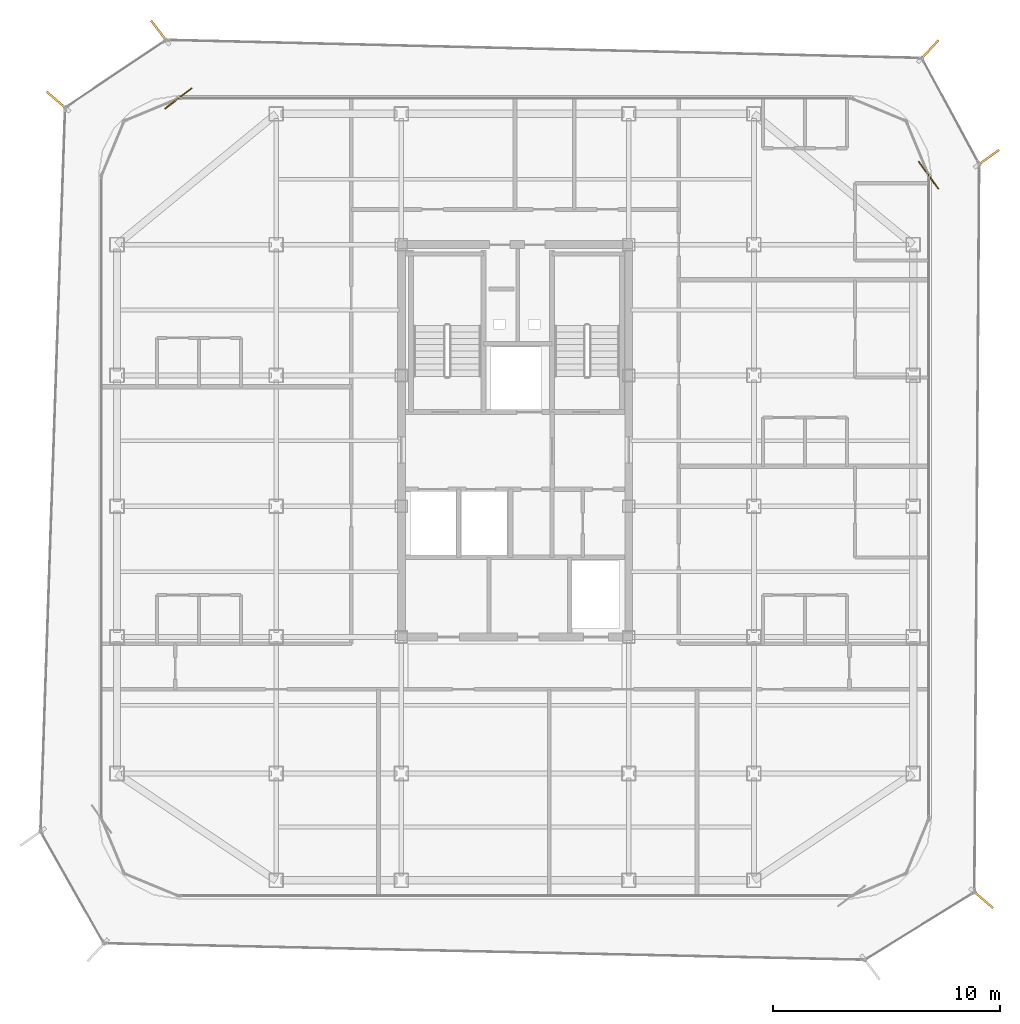
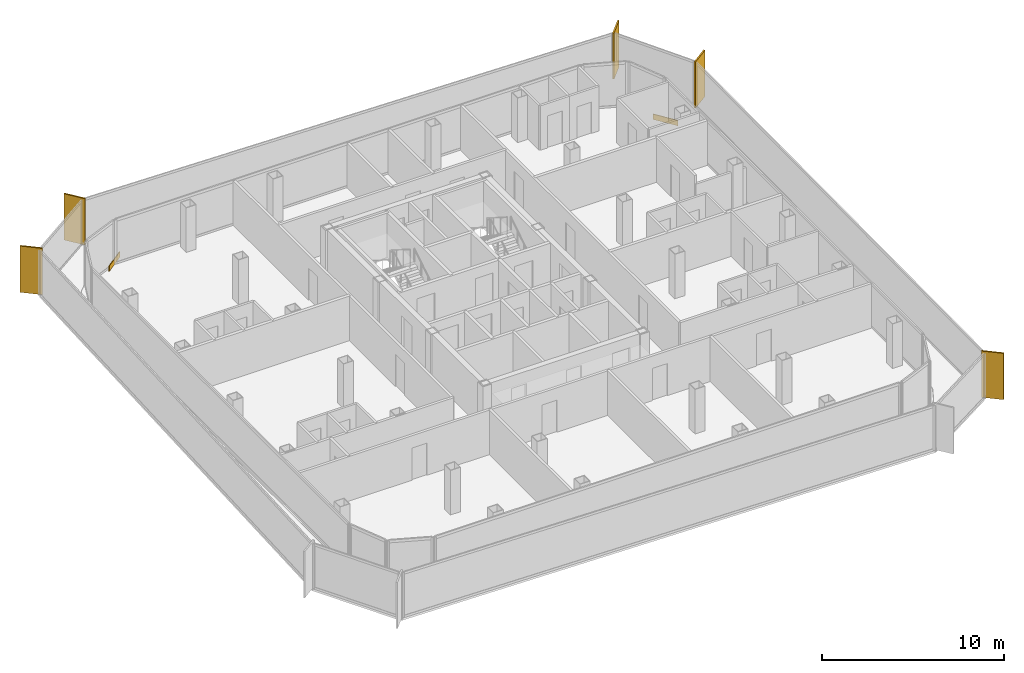
# One storey, part 15 of 15: 5 shading devices, 2 coverings.
"""IFC4 building model written with IfcOpenShell, lengths in metres."""

from ifc_helpers import new_model, si_unit, direction, frame, origin, origin_2d, place, context, subcontext, project, spatial, rectangle, extrude, source, transform, mapped, material, layer, layer_set, type_object, element, save


model = new_model("IFC4")

# Units and contexts
model_context = context("Model", 3, precision=1e-05, world=origin(), true_north=direction((0.0, 1.0)))
body_context = subcontext(model_context, "Body", "Model", "MODEL_VIEW")
ifc_project = project(units=[si_unit("LENGTHUNIT", "METRE"), si_unit("AREAUNIT", "SQUARE_METRE"), si_unit("VOLUMEUNIT", "CUBIC_METRE"), si_unit("PLANEANGLEUNIT", "RADIAN"), si_unit("MASSUNIT", "GRAM", prefix="KILO")], contexts=[model_context])

# Site, building, storey
site_placement = place(None, origin())
site = spatial("IfcSite", under=ifc_project, at=site_placement, CompositionType="ELEMENT")
building_placement = place(site_placement, origin())
building = spatial("IfcBuilding", under=site, at=building_placement, Name="Kolveth Station Tower", CompositionType="ELEMENT")
storey_placement = place(building_placement, frame((0.0, 0.0, 248.89990234375)))
storey = spatial("IfcBuildingStorey", under=building, at=storey_placement, Name="L71", CompositionType="ELEMENT", Elevation=248.89990234375)

# Shading devices
ifc_material_1 = material(Name="Black anodized aluminium 6063-T6", Category="aluminium")
shading_device_type = type_object("IfcShadingDeviceType", Name="FIN_VF1", PredefinedType="USERDEFINED", material=ifc_material_1)
shared_shape_1 = source(origin(), body_context, "Body", "SweptSolid", [
    extrude(rectangle(XDim=1.25, YDim=0.090087890625, at=origin_2d()), origin(), (0.0, 0.0, 1.0), 3.10009765625),
])
for number, where, z_axis, x_axis, name in (
    (1, (44.0419921875, -0.008056640625, 0.0), (0.0, 0.0, 1.0), (0.758361915289, -0.651833725301, 0.0), "L71 Dark-Aluminium Solar Fin 2"),
    (2, (44.277099609375, 32.553955078125, 0.0), (0.0, 0.0, 1.0), (0.812592453382, 0.582832312683, 0.0), "L71 Dark-Aluminium Solar Fin 3"),
    (3, (41.696044921875, 37.281982421875, 0.0), (0.0, 0.0, 1.0), (0.679825391166, 0.733374009306, 0.0), "L71 Dark-Aluminium Solar Fin 4"),
    (4, (7.87890625, 38.10302734375, 0.0), (0.0, 0.0, 1.0), (-0.606959801962, 0.79473253287, 0.0), "L71 Dark-Aluminium Solar Fin 5"),
    (5, (3.384033203125, 35.06494140625, 0.0), (0.0, 0.0, 1.0), (-0.756081970773, 0.6544769312, 0.0), "L71 Dark-Aluminium Solar Fin 6"),
):
    element("IfcShadingDevice", number, at=place(storey_placement, frame(where, z_axis=z_axis, x_axis=x_axis)), inside=storey, type_object=shading_device_type, Name=name, ObjectType="FIN", PredefinedType="USERDEFINED", context=body_context, shape_type="MappedRepresentation", body=[
        mapped(shared_shape_1, transform((0.0, 0.0, 0.0), x_axis=(1.0, 0.0, 0.0), y_axis=(0.0, 1.0, 0.0), z_axis=(0.0, 0.0, 1.0), scale=1.0)),
    ])

# Coverings
ifc_material_2 = material(Name="Charcoal anodized aluminium spandrel cladding", Category="aluminium")
ifc_layer = layer(ifc_material_2, 0.044921875)
ifc_layer_set = layer_set([ifc_layer], Name="Charcoal anodized aluminium spandrel cladding")
covering_type = type_object("IfcCoveringType", Name="Clad_CD1", PredefinedType="CLADDING", material=ifc_layer_set)
shared_shape_2 = source(origin(), body_context, "Body", "SweptSolid", [
    extrude(rectangle(XDim=1.5, YDim=0.044921875, at=origin_2d()), origin(), (0.0, 0.0, 1.0), 0.360107421875),
])
for number, where, z_axis, x_axis, name in (
    (6, (41.679931640625, 31.800048828125, 0.0), (0.0, 0.0, 1.0), (-0.582832312683, 0.812592453382, 0.0), "L71 Spandrel Edge Cladding 3"),
    (7, (8.699951171875, 35.179931640625, 0.0), (0.0, 0.0, 1.0), (-0.79473253287, -0.606959801962, 0.0), "L71 Spandrel Edge Cladding 5"),
):
    element("IfcCovering", number, at=place(storey_placement, frame(where, z_axis=z_axis, x_axis=x_axis)), inside=storey, type_object=covering_type, Name=name, PredefinedType="CLADDING", context=body_context, shape_type="MappedRepresentation", body=[
        mapped(shared_shape_2, transform((0.0, 0.0, 0.0), x_axis=(1.0, 0.0, 0.0), y_axis=(0.0, 1.0, 0.0), z_axis=(0.0, 0.0, 1.0), scale=1.0)),
    ])

save(model, "model.ifc")
